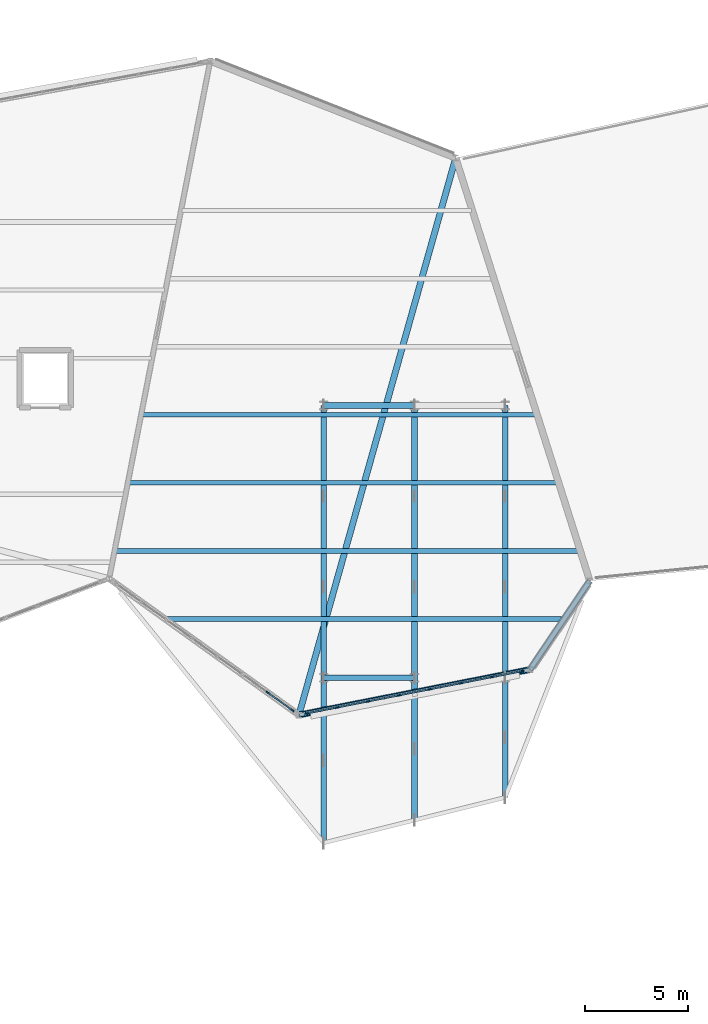
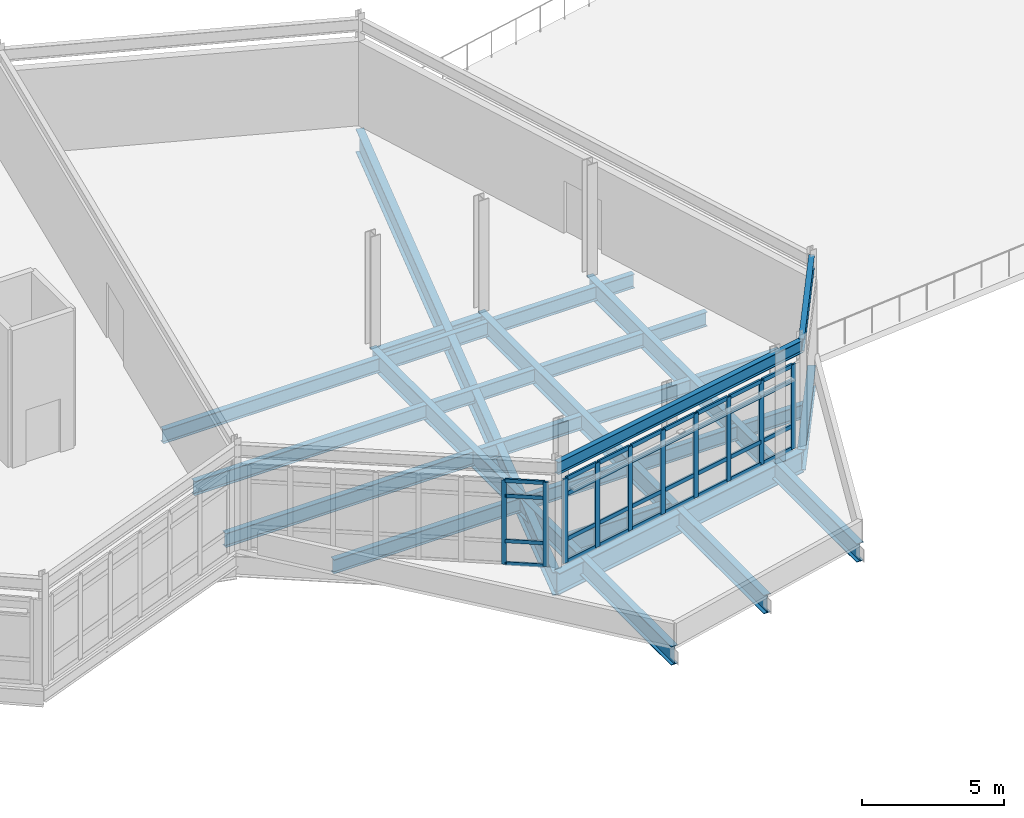
# One storey, part 40 of 76: 45 members, 11 beams, 2 elements without a shape of their own.
"""IFC4 building model written with IfcOpenShell, lengths in metres."""

from ifc_helpers import new_model, si_unit, direction, frame, origin, origin_2d, place, context, subcontext, project, spatial, rectangle, i_section, extrude, material, material_profile, profile_set, type_object, element, aggregate, save


model = new_model("IFC4")

# Units and contexts
model_context = context("Model", 3, precision=1e-05, world=origin(), true_north=direction((0.0, 1.0)))
body_context = subcontext(model_context, "Body", "Model", "MODEL_VIEW")
ifc_project = project(units=[si_unit("LENGTHUNIT", "METRE"), si_unit("AREAUNIT", "SQUARE_METRE"), si_unit("VOLUMEUNIT", "CUBIC_METRE"), si_unit("PLANEANGLEUNIT", "RADIAN"), si_unit("MASSUNIT", "GRAM", prefix="KILO")], contexts=[model_context])

# Site, building, storey
site_placement = place(None, origin())
site = spatial("IfcSite", under=ifc_project, at=site_placement, CompositionType="ELEMENT")
building_placement = place(site_placement, origin())
building = spatial("IfcBuilding", under=site, at=building_placement, Name="Tameran Prism Museum", CompositionType="ELEMENT")
storey_placement = place(building_placement, frame((0.0, 0.0, 15.0)))
storey = spatial("IfcBuildingStorey", under=building, at=storey_placement, Name="L03", CompositionType="ELEMENT", Elevation=15.0)

# Beams
ifc_material_1 = material(Name="Steel Grade 300PLUS (300 MPa)", Category="steel")
ifc_material_profile_1 = material_profile(ifc_material_1, i_section(OverallWidth=0.208984375, OverallDepth=0.528076171875, WebThickness=0.009521484375, FlangeThickness=0.01318359375, FilletRadius=0.013916015625, at=origin_2d()))
ifc_profile_set_1 = profile_set([ifc_material_profile_1])
beam_type_1 = type_object("IfcBeamType", Name="BM-SP530B", PredefinedType="SPANDREL", material=ifc_profile_set_1)
beam_1_placement = place(storey_placement, frame((129.89990234375, 15.699951171875, 4.256103515625), z_axis=(0.981250265265, 0.192737948825, 0.0), x_axis=(-0.192737948825, 0.981250265265, 0.0)))
element("IfcBeam", 1, at=beam_1_placement, inside=storey, type_object=beam_type_1, Name="Roof Ring Beam RB-0990", PredefinedType="SPANDREL", context=body_context, shape_type="SweptSolid", body=[
    extrude(i_section(OverallWidth=0.208984375, OverallDepth=0.528076171875, WebThickness=0.009521484375, FlangeThickness=0.01318359375, FilletRadius=0.013916015625, at=origin_2d()), origin(), (0.0, 0.0, 1.0), 11.414306640625),
])
beam_2_placement = place(storey_placement, frame((141.10009765625, 17.89990234375, 4.256103515625), z_axis=(0.559124361662, 0.829083800467, 0.0), x_axis=(-0.829083800467, 0.559124361662, 0.0)))
element("IfcBeam", 2, at=beam_2_placement, inside=storey, type_object=beam_type_1, Name="Roof Ring Beam RB-0991", PredefinedType="SPANDREL", context=body_context, shape_type="SweptSolid", body=[
    extrude(i_section(OverallWidth=0.208984375, OverallDepth=0.528076171875, WebThickness=0.009521484375, FlangeThickness=0.01318359375, FilletRadius=0.013916015625, at=origin_2d()), origin(), (0.0, 0.0, 1.0), 5.1865234375),
])
ifc_material_2 = material(Name="Steel Grade 300PLUS (300 MPa)", Category="steel")
ifc_material_profile_2 = material_profile(ifc_material_2, i_section(OverallWidth=0.22802734375, OverallDepth=0.60693359375, WebThickness=0.01123046875, FlangeThickness=0.017333984375, FilletRadius=0.013916015625, at=origin_2d()))
ifc_profile_set_2 = profile_set([ifc_material_profile_2])
beam_type_2 = type_object("IfcBeamType", Name="BM-UB610B", PredefinedType="BEAM", material=ifc_profile_set_2)
beam_3_placement = place(storey_placement, frame((123.487060546875, 20.35009765625, -0.5234375), z_axis=(1.0, 0.0, 0.0), x_axis=(0.0, 1.0, 0.0)))
element("IfcBeam", 3, at=beam_3_placement, inside=storey, type_object=beam_type_2, Name="Floor Beam BM-1113", PredefinedType="BEAM", context=body_context, shape_type="SweptSolid", body=[
    extrude(i_section(OverallWidth=0.22802734375, OverallDepth=0.60693359375, WebThickness=0.01123046875, FlangeThickness=0.017333984375, FilletRadius=0.013916015625, at=origin_2d()), origin(), (0.0, 0.0, 1.0), 19.217041015625),
])
beam_4_placement = place(storey_placement, frame((121.00390625, 23.64990234375, -0.5234375), z_axis=(1.0, 0.0, 0.0), x_axis=(0.0, 1.0, 0.0)))
element("IfcBeam", 4, at=beam_4_placement, inside=storey, type_object=beam_type_2, Name="Floor Beam BM-1114", PredefinedType="BEAM", context=body_context, shape_type="SweptSolid", body=[
    extrude(i_section(OverallWidth=0.22802734375, OverallDepth=0.60693359375, WebThickness=0.01123046875, FlangeThickness=0.017333984375, FilletRadius=0.013916015625, at=origin_2d()), origin(), (0.0, 0.0, 1.0), 22.494140625),
])
beam_5_placement = place(storey_placement, frame((121.64892578125, 26.949951171875, -0.5234375), z_axis=(1.0, 0.0, 0.0), x_axis=(0.0, 1.0, 0.0)))
element("IfcBeam", 5, at=beam_5_placement, inside=storey, type_object=beam_type_2, Name="Floor Beam BM-1115", PredefinedType="BEAM", context=body_context, shape_type="SweptSolid", body=[
    extrude(i_section(OverallWidth=0.22802734375, OverallDepth=0.60693359375, WebThickness=0.01123046875, FlangeThickness=0.017333984375, FilletRadius=0.013916015625, at=origin_2d()), origin(), (0.0, 0.0, 1.0), 20.802978515625),
])
beam_6_placement = place(storey_placement, frame((122.29296875, 30.25, -0.5234375), z_axis=(1.0, 0.0, 0.0), x_axis=(0.0, 1.0, 0.0)))
element("IfcBeam", 6, at=beam_6_placement, inside=storey, type_object=beam_type_2, Name="Floor Beam BM-1116", PredefinedType="BEAM", context=body_context, shape_type="SweptSolid", body=[
    extrude(i_section(OverallWidth=0.22802734375, OverallDepth=0.60693359375, WebThickness=0.01123046875, FlangeThickness=0.017333984375, FilletRadius=0.013916015625, at=origin_2d()), origin(), (0.0, 0.0, 1.0), 19.113037109375),
])
ifc_material_3 = material(Name="Steel Grade 350 (350 MPa)", Category="steel")
ifc_material_profile_3 = material_profile(ifc_material_3, i_section(OverallWidth=0.300048828125, OverallDepth=1.0, WebThickness=0.01611328125, FlangeThickness=0.031982421875, at=origin_2d()))
ifc_profile_set_3 = profile_set([ifc_material_profile_3])
beam_type_3 = type_object("IfcBeamType", Name="BM-WB1000", PredefinedType="BEAM", material=ifc_profile_set_3)
beam_7_placement = place(storey_placement, frame((137.5, 42.699951171875, -0.719970703125), z_axis=(-0.270955285512, -0.962591934962, 0.0), x_axis=(0.962591934962, -0.270955285512, 0.0)))
element("IfcBeam", 7, at=beam_7_placement, inside=storey, type_object=beam_type_3, Name="Primary Vertex Girder PG-0993", PredefinedType="BEAM", context=body_context, shape_type="SweptSolid", body=[
    extrude(i_section(OverallWidth=0.300048828125, OverallDepth=1.0, WebThickness=0.01611328125, FlangeThickness=0.031982421875, at=origin_2d()), origin(), (0.0, 0.0, 1.0), 28.04931640625),
])
ifc_material_4 = material(Name="Steel Grade 350 (350 MPa)", Category="steel")
ifc_material_profile_4 = material_profile(ifc_material_4, i_section(OverallWidth=0.27490234375, OverallDepth=0.800048828125, WebThickness=0.011962890625, FlangeThickness=0.02490234375, at=origin_2d()))
ifc_profile_set_4 = profile_set([ifc_material_profile_4])
beam_type_4 = type_object("IfcBeamType", Name="BM-WB800", PredefinedType="BEAM", material=ifc_profile_set_4)
for number, where, z_axis, x_axis, name in (
    (8, (131.10009765625, 17.5, -0.6201171875), (1.0, 0.0, 0.0), (0.0, 1.0, 0.0), "Frame Tie Girder FG-1370"),
    (9, (131.10009765625, 30.699951171875, -0.6201171875), (1.0, 0.0, 0.0), (0.0, 1.0, 0.0), "Frame Tie Girder FG-1374"),
):
    element("IfcBeam", number, at=place(storey_placement, frame(where, z_axis=z_axis, x_axis=x_axis)), inside=storey, type_object=beam_type_4, Name=name, PredefinedType="BEAM", context=body_context, shape_type="SweptSolid", body=[
        extrude(i_section(OverallWidth=0.27490234375, OverallDepth=0.800048828125, WebThickness=0.011962890625, FlangeThickness=0.02490234375, at=origin_2d()), origin(), (0.0, 0.0, 1.0), 4.39990234375),
    ])
ifc_material_5 = material(Name="Steel Grade 350 (350 MPa)", Category="steel")
ifc_material_profile_5 = material_profile(ifc_material_5, i_section(OverallWidth=0.300048828125, OverallDepth=0.89990234375, WebThickness=0.011962890625, FlangeThickness=0.030029296875, at=origin_2d()))
ifc_profile_set_5 = profile_set([ifc_material_profile_5])
beam_type_5 = type_object("IfcBeamType", Name="BM-WB900", PredefinedType="BEAM", material=ifc_profile_set_5)
beam_8_placement = place(storey_placement, frame((129.89990234375, 15.699951171875, -0.669921875), z_axis=(0.981250265265, 0.192737948825, 0.0), x_axis=(-0.192737948825, 0.981250265265, 0.0)))
element("IfcBeam", 10, at=beam_8_placement, inside=storey, type_object=beam_type_5, Name="Perimeter Spandrel SP-0985", PredefinedType="BEAM", context=body_context, shape_type="SweptSolid", body=[
    extrude(i_section(OverallWidth=0.300048828125, OverallDepth=0.89990234375, WebThickness=0.011962890625, FlangeThickness=0.030029296875, at=origin_2d()), origin(), (0.0, 0.0, 1.0), 11.414306640625),
])
beam_9_placement = place(storey_placement, frame((141.10009765625, 17.89990234375, -0.669921875), z_axis=(0.559124361662, 0.829083800467, 0.0), x_axis=(-0.829083800467, 0.559124361662, 0.0)))
element("IfcBeam", 11, at=beam_9_placement, inside=storey, type_object=beam_type_5, Name="Perimeter Spandrel SP-0986", PredefinedType="BEAM", context=body_context, shape_type="SweptSolid", body=[
    extrude(i_section(OverallWidth=0.300048828125, OverallDepth=0.89990234375, WebThickness=0.011962890625, FlangeThickness=0.030029296875, at=origin_2d()), origin(), (0.0, 0.0, 1.0), 5.1865234375),
])

# Curtain wall, members
ifc_material_6 = material(Name="Anodised Aluminium 6063-T6 and Cyclone Solar Glass", Category="aluminium")
curtain_wall_type_1 = type_object("IfcCurtainWallType", Name="CW-FAC-1056x362", PredefinedType="USERDEFINED", material=ifc_material_6)
curtain_wall_1_placement = place(storey_placement, origin())
curtain_wall_1 = element("IfcCurtainWall", 12, at=curtain_wall_1_placement, inside=storey, type_object=curtain_wall_type_1, Name="Unitised Curtain Wall CW-148", ObjectType="UNITISED CURTAIN WALL", PredefinedType="USERDEFINED")
ifc_material_7 = material(Name="Anodised Aluminium Alloy 6063-T6", Category="aluminium")
ifc_material_profile_6 = material_profile(ifc_material_7, rectangle(XDim=0.070068359375, YDim=0.179931640625, at=origin_2d()))
ifc_profile_set_6 = profile_set([ifc_material_profile_6])
member_type_1 = type_object("IfcMemberType", Name="CW-MUL-B", PredefinedType="MULLION", material=ifc_profile_set_6)
member_1_placement = place(storey_placement, frame((129.587646484375, 15.92431640625, 0.0), z_axis=(0.0, 0.0, 1.0), x_axis=(-0.582884776259, -0.812554821293, 0.0)))
member_1 = element("IfcMember", 13, at=member_1_placement, type_object=member_type_1, Name="CW-148 mullion 1", PredefinedType="MULLION", context=body_context, shape_type="SweptSolid", body=[
    extrude(rectangle(XDim=0.070068359375, YDim=0.179931640625, at=origin_2d()), origin(), (0.0, 0.0, 1.0), 3.6201171875),
])
member_2_placement = place(storey_placement, frame((128.389892578125, 16.78369140625, 0.0), z_axis=(0.0, 0.0, 1.0), x_axis=(-0.582884776259, -0.812554821293, 0.0)))
member_2 = element("IfcMember", 14, at=member_2_placement, type_object=member_type_1, Name="CW-148 mullion 2", PredefinedType="MULLION", context=body_context, shape_type="SweptSolid", body=[
    extrude(rectangle(XDim=0.070068359375, YDim=0.179931640625, at=origin_2d()), origin(), (0.0, 0.0, 1.0), 3.6201171875),
])

ifc_material_8 = material(Name="Anodised Aluminium 6063-T6 and Cyclone Solar Glass", Category="aluminium")
curtain_wall_type_2 = type_object("IfcCurtainWallType", Name="CW-FAC-1071x362", PredefinedType="USERDEFINED", material=ifc_material_8)
curtain_wall_2_placement = place(storey_placement, origin())
curtain_wall_2 = element("IfcCurtainWall", 15, at=curtain_wall_2_placement, inside=storey, type_object=curtain_wall_type_2, Name="Unitised Curtain Wall CW-149", ObjectType="UNITISED CURTAIN WALL", PredefinedType="USERDEFINED")
ifc_material_9 = material(Name="Anodised Aluminium Alloy 6063-T6", Category="aluminium")
ifc_material_profile_7 = material_profile(ifc_material_9, rectangle(XDim=0.074951171875, YDim=0.199951171875, at=origin_2d()))
ifc_profile_set_7 = profile_set([ifc_material_profile_7])
member_type_2 = type_object("IfcMemberType", Name="CW-MUL-C", PredefinedType="MULLION", material=ifc_profile_set_7)
member_3_placement = place(storey_placement, frame((140.72021484375, 17.82568359375, 0.0), z_axis=(0.0, 0.0, 1.0), x_axis=(0.192812698141, -0.981235579989, 0.0)))
member_3 = element("IfcMember", 16, at=member_3_placement, type_object=member_type_2, Name="CW-149 mullion 1", PredefinedType="MULLION", context=body_context, shape_type="SweptSolid", body=[
    extrude(rectangle(XDim=0.074951171875, YDim=0.199951171875, at=origin_2d()), origin(), (0.0, 0.0, 1.0), 3.6201171875),
])
member_4_placement = place(storey_placement, frame((139.2548828125, 17.537841796875, 0.0), z_axis=(0.0, 0.0, 1.0), x_axis=(0.192812698141, -0.981235579989, 0.0)))
member_4 = element("IfcMember", 17, at=member_4_placement, type_object=member_type_2, Name="CW-149 mullion 2", PredefinedType="MULLION", context=body_context, shape_type="SweptSolid", body=[
    extrude(rectangle(XDim=0.074951171875, YDim=0.199951171875, at=origin_2d()), origin(), (0.0, 0.0, 1.0), 3.6201171875),
])
member_5_placement = place(storey_placement, frame((137.7529296875, 17.24267578125, 0.0), z_axis=(0.0, 0.0, 1.0), x_axis=(0.192812698141, -0.981235579989, 0.0)))
member_5 = element("IfcMember", 18, at=member_5_placement, type_object=member_type_2, Name="CW-149 mullion 3", PredefinedType="MULLION", context=body_context, shape_type="SweptSolid", body=[
    extrude(rectangle(XDim=0.074951171875, YDim=0.199951171875, at=origin_2d()), origin(), (0.0, 0.0, 1.0), 3.6201171875),
])
member_6_placement = place(storey_placement, frame((136.2509765625, 16.947509765625, 0.0), z_axis=(0.0, 0.0, 1.0), x_axis=(0.192812698141, -0.981235579989, 0.0)))
member_6 = element("IfcMember", 19, at=member_6_placement, type_object=member_type_2, Name="CW-149 mullion 4", PredefinedType="MULLION", context=body_context, shape_type="SweptSolid", body=[
    extrude(rectangle(XDim=0.074951171875, YDim=0.199951171875, at=origin_2d()), origin(), (0.0, 0.0, 1.0), 3.6201171875),
])
member_7_placement = place(storey_placement, frame((134.7490234375, 16.65234375, 0.0), z_axis=(0.0, 0.0, 1.0), x_axis=(0.192812698141, -0.981235579989, 0.0)))
member_7 = element("IfcMember", 20, at=member_7_placement, type_object=member_type_2, Name="CW-149 mullion 5", PredefinedType="MULLION", context=body_context, shape_type="SweptSolid", body=[
    extrude(rectangle(XDim=0.074951171875, YDim=0.199951171875, at=origin_2d()), origin(), (0.0, 0.0, 1.0), 3.6201171875),
])
member_8_placement = place(storey_placement, frame((133.2470703125, 16.357177734375, 0.0), z_axis=(0.0, 0.0, 1.0), x_axis=(0.192812698141, -0.981235579989, 0.0)))
member_8 = element("IfcMember", 21, at=member_8_placement, type_object=member_type_2, Name="CW-149 mullion 6", PredefinedType="MULLION", context=body_context, shape_type="SweptSolid", body=[
    extrude(rectangle(XDim=0.074951171875, YDim=0.199951171875, at=origin_2d()), origin(), (0.0, 0.0, 1.0), 3.6201171875),
])
member_9_placement = place(storey_placement, frame((131.7451171875, 16.062255859375, 0.0), z_axis=(0.0, 0.0, 1.0), x_axis=(0.192812698141, -0.981235579989, 0.0)))
member_9 = element("IfcMember", 22, at=member_9_placement, type_object=member_type_2, Name="CW-149 mullion 7", PredefinedType="MULLION", context=body_context, shape_type="SweptSolid", body=[
    extrude(rectangle(XDim=0.074951171875, YDim=0.199951171875, at=origin_2d()), origin(), (0.0, 0.0, 1.0), 3.6201171875),
])
member_10_placement = place(storey_placement, frame((130.27978515625, 15.774169921875, 0.0), z_axis=(0.0, 0.0, 1.0), x_axis=(0.192812698141, -0.981235579989, 0.0)))
member_10 = element("IfcMember", 23, at=member_10_placement, type_object=member_type_2, Name="CW-149 mullion 8", PredefinedType="MULLION", context=body_context, shape_type="SweptSolid", body=[
    extrude(rectangle(XDim=0.074951171875, YDim=0.199951171875, at=origin_2d()), origin(), (0.0, 0.0, 1.0), 3.6201171875),
])

# Member
ifc_material_10 = material(Name="Anodised Aluminium Alloy 6063-T6", Category="aluminium")
ifc_material_profile_8 = material_profile(ifc_material_10, rectangle(XDim=0.070068359375, YDim=0.155029296875, at=origin_2d()))
ifc_profile_set_8 = profile_set([ifc_material_profile_8])
member_type_3 = type_object("IfcMemberType", Name="CW-TRN-B", PredefinedType="USERDEFINED", material=ifc_profile_set_8)
member_11_placement = place(storey_placement, frame((129.55908203125, 15.94482421875, 0.034912109375), z_axis=(-0.812568686332, 0.582865447589, 0.0), x_axis=(-0.582865447589, -0.812568686332, 0.0)))
member_11 = element("IfcMember", 24, at=member_11_placement, type_object=member_type_3, Name="CW-148 transom 1.1", ObjectType="TRANSOM", PredefinedType="USERDEFINED", context=body_context, shape_type="SweptSolid", body=[
    extrude(rectangle(XDim=0.070068359375, YDim=0.155029296875, at=origin_2d()), origin(), (0.0, 0.0, 1.0), 1.404052734375),
])

member_12_placement = place(storey_placement, frame((129.55908203125, 15.94482421875, 1.0), z_axis=(-0.812568686332, 0.582865447589, 0.0), x_axis=(-0.582865447589, -0.812568686332, 0.0)))
member_12 = element("IfcMember", 25, at=member_12_placement, type_object=member_type_3, Name="CW-148 transom 1.2", ObjectType="TRANSOM", PredefinedType="USERDEFINED", context=body_context, shape_type="SweptSolid", body=[
    extrude(rectangle(XDim=0.070068359375, YDim=0.155029296875, at=origin_2d()), origin(), (0.0, 0.0, 1.0), 1.404052734375),
])

member_13_placement = place(storey_placement, frame((129.55908203125, 15.94482421875, 2.93994140625), z_axis=(-0.812568686332, 0.582865447589, 0.0), x_axis=(-0.582865447589, -0.812568686332, 0.0)))
member_13 = element("IfcMember", 26, at=member_13_placement, type_object=member_type_3, Name="CW-148 transom 1.3", ObjectType="TRANSOM", PredefinedType="USERDEFINED", context=body_context, shape_type="SweptSolid", body=[
    extrude(rectangle(XDim=0.070068359375, YDim=0.155029296875, at=origin_2d()), origin(), (0.0, 0.0, 1.0), 1.404052734375),
])

member_14_placement = place(storey_placement, frame((129.55908203125, 15.94482421875, 3.5849609375), z_axis=(-0.812568686332, 0.582865447589, 0.0), x_axis=(-0.582865447589, -0.812568686332, 0.0)))
member_14 = element("IfcMember", 27, at=member_14_placement, type_object=member_type_3, Name="CW-148 transom 1.4", ObjectType="TRANSOM", PredefinedType="USERDEFINED", context=body_context, shape_type="SweptSolid", body=[
    extrude(rectangle(XDim=0.070068359375, YDim=0.155029296875, at=origin_2d()), origin(), (0.0, 0.0, 1.0), 1.404052734375),
])

aggregate(curtain_wall_1, [member_1, member_2, member_11, member_12, member_13, member_14])

ifc_material_11 = material(Name="Anodised Aluminium Alloy 6063-T6", Category="aluminium")
ifc_material_profile_9 = material_profile(ifc_material_11, rectangle(XDim=0.074951171875, YDim=0.175048828125, at=origin_2d()))
ifc_profile_set_9 = profile_set([ifc_material_profile_9])
member_type_4 = type_object("IfcMemberType", Name="CW-TRN-C", PredefinedType="USERDEFINED", material=ifc_profile_set_9)
member_15_placement = place(storey_placement, frame((140.683349609375, 17.818603515625, 0.03759765625), z_axis=(-0.981237190761, -0.192804500641, 0.0), x_axis=(0.192804500641, -0.981237190761, 0.0)))
member_15 = element("IfcMember", 28, at=member_15_placement, type_object=member_type_4, Name="CW-149 transom 1.1", ObjectType="TRANSOM", PredefinedType="USERDEFINED", context=body_context, shape_type="SweptSolid", body=[
    extrude(rectangle(XDim=0.074951171875, YDim=0.175048828125, at=origin_2d()), origin(), (0.0, 0.0, 1.0), 1.418212890625),
])

member_16_placement = place(storey_placement, frame((140.683349609375, 17.818603515625, 1.0), z_axis=(-0.981237190761, -0.192804500641, 0.0), x_axis=(0.192804500641, -0.981237190761, 0.0)))
member_16 = element("IfcMember", 29, at=member_16_placement, type_object=member_type_4, Name="CW-149 transom 1.2", ObjectType="TRANSOM", PredefinedType="USERDEFINED", context=body_context, shape_type="SweptSolid", body=[
    extrude(rectangle(XDim=0.074951171875, YDim=0.175048828125, at=origin_2d()), origin(), (0.0, 0.0, 1.0), 1.418212890625),
])

member_17_placement = place(storey_placement, frame((140.683349609375, 17.818603515625, 2.93994140625), z_axis=(-0.981237190761, -0.192804500641, 0.0), x_axis=(0.192804500641, -0.981237190761, 0.0)))
member_17 = element("IfcMember", 30, at=member_17_placement, type_object=member_type_4, Name="CW-149 transom 1.3", ObjectType="TRANSOM", PredefinedType="USERDEFINED", context=body_context, shape_type="SweptSolid", body=[
    extrude(rectangle(XDim=0.074951171875, YDim=0.175048828125, at=origin_2d()), origin(), (0.0, 0.0, 1.0), 1.418212890625),
])

member_18_placement = place(storey_placement, frame((140.683349609375, 17.818603515625, 3.58251953125), z_axis=(-0.981237190761, -0.192804500641, 0.0), x_axis=(0.192804500641, -0.981237190761, 0.0)))
member_18 = element("IfcMember", 31, at=member_18_placement, type_object=member_type_4, Name="CW-149 transom 1.4", ObjectType="TRANSOM", PredefinedType="USERDEFINED", context=body_context, shape_type="SweptSolid", body=[
    extrude(rectangle(XDim=0.074951171875, YDim=0.175048828125, at=origin_2d()), origin(), (0.0, 0.0, 1.0), 1.418212890625),
])

member_19_placement = place(storey_placement, frame((139.21826171875, 17.530517578125, 0.03759765625), z_axis=(-0.981258448207, -0.192696283881, 0.0), x_axis=(0.192696283881, -0.981258448207, 0.0)))
member_19 = element("IfcMember", 32, at=member_19_placement, type_object=member_type_4, Name="CW-149 transom 2.1", ObjectType="TRANSOM", PredefinedType="USERDEFINED", context=body_context, shape_type="SweptSolid", body=[
    extrude(rectangle(XDim=0.074951171875, YDim=0.175048828125, at=origin_2d()), origin(), (0.0, 0.0, 1.0), 1.455810546875),
])

member_20_placement = place(storey_placement, frame((139.21826171875, 17.530517578125, 1.0), z_axis=(-0.981258448207, -0.192696283881, 0.0), x_axis=(0.192696283881, -0.981258448207, 0.0)))
member_20 = element("IfcMember", 33, at=member_20_placement, type_object=member_type_4, Name="CW-149 transom 2.2", ObjectType="TRANSOM", PredefinedType="USERDEFINED", context=body_context, shape_type="SweptSolid", body=[
    extrude(rectangle(XDim=0.074951171875, YDim=0.175048828125, at=origin_2d()), origin(), (0.0, 0.0, 1.0), 1.455810546875),
])

member_21_placement = place(storey_placement, frame((139.21826171875, 17.530517578125, 2.93994140625), z_axis=(-0.981258448207, -0.192696283881, 0.0), x_axis=(0.192696283881, -0.981258448207, 0.0)))
member_21 = element("IfcMember", 34, at=member_21_placement, type_object=member_type_4, Name="CW-149 transom 2.3", ObjectType="TRANSOM", PredefinedType="USERDEFINED", context=body_context, shape_type="SweptSolid", body=[
    extrude(rectangle(XDim=0.074951171875, YDim=0.175048828125, at=origin_2d()), origin(), (0.0, 0.0, 1.0), 1.455810546875),
])

member_22_placement = place(storey_placement, frame((139.21826171875, 17.530517578125, 3.58251953125), z_axis=(-0.981258448207, -0.192696283881, 0.0), x_axis=(0.192696283881, -0.981258448207, 0.0)))
member_22 = element("IfcMember", 35, at=member_22_placement, type_object=member_type_4, Name="CW-149 transom 2.4", ObjectType="TRANSOM", PredefinedType="USERDEFINED", context=body_context, shape_type="SweptSolid", body=[
    extrude(rectangle(XDim=0.074951171875, YDim=0.175048828125, at=origin_2d()), origin(), (0.0, 0.0, 1.0), 1.455810546875),
])

member_23_placement = place(storey_placement, frame((137.71630859375, 17.235595703125, 0.03759765625), z_axis=(-0.981226724938, -0.192857756568, 0.0), x_axis=(0.192857756568, -0.981226724938, 0.0)))
member_23 = element("IfcMember", 36, at=member_23_placement, type_object=member_type_4, Name="CW-149 transom 3.1", ObjectType="TRANSOM", PredefinedType="USERDEFINED", context=body_context, shape_type="SweptSolid", body=[
    extrude(rectangle(XDim=0.074951171875, YDim=0.175048828125, at=origin_2d()), origin(), (0.0, 0.0, 1.0), 1.455810546875),
])

member_24_placement = place(storey_placement, frame((137.71630859375, 17.235595703125, 1.0), z_axis=(-0.981226724938, -0.192857756568, 0.0), x_axis=(0.192857756568, -0.981226724938, 0.0)))
member_24 = element("IfcMember", 37, at=member_24_placement, type_object=member_type_4, Name="CW-149 transom 3.2", ObjectType="TRANSOM", PredefinedType="USERDEFINED", context=body_context, shape_type="SweptSolid", body=[
    extrude(rectangle(XDim=0.074951171875, YDim=0.175048828125, at=origin_2d()), origin(), (0.0, 0.0, 1.0), 1.455810546875),
])

member_25_placement = place(storey_placement, frame((137.71630859375, 17.235595703125, 2.93994140625), z_axis=(-0.981226724938, -0.192857756568, 0.0), x_axis=(0.192857756568, -0.981226724938, 0.0)))
member_25 = element("IfcMember", 38, at=member_25_placement, type_object=member_type_4, Name="CW-149 transom 3.3", ObjectType="TRANSOM", PredefinedType="USERDEFINED", context=body_context, shape_type="SweptSolid", body=[
    extrude(rectangle(XDim=0.074951171875, YDim=0.175048828125, at=origin_2d()), origin(), (0.0, 0.0, 1.0), 1.455810546875),
])

member_26_placement = place(storey_placement, frame((137.71630859375, 17.235595703125, 3.58251953125), z_axis=(-0.981226724938, -0.192857756568, 0.0), x_axis=(0.192857756568, -0.981226724938, 0.0)))
member_26 = element("IfcMember", 39, at=member_26_placement, type_object=member_type_4, Name="CW-149 transom 3.4", ObjectType="TRANSOM", PredefinedType="USERDEFINED", context=body_context, shape_type="SweptSolid", body=[
    extrude(rectangle(XDim=0.074951171875, YDim=0.175048828125, at=origin_2d()), origin(), (0.0, 0.0, 1.0), 1.455810546875),
])

member_27_placement = place(storey_placement, frame((136.214111328125, 16.9404296875, 0.03759765625), z_axis=(-0.981220485855, -0.192889497219, 0.0), x_axis=(0.192889497219, -0.981220485855, 0.0)))
member_27 = element("IfcMember", 40, at=member_27_placement, type_object=member_type_4, Name="CW-149 transom 4.1", ObjectType="TRANSOM", PredefinedType="USERDEFINED", context=body_context, shape_type="SweptSolid", body=[
    extrude(rectangle(XDim=0.074951171875, YDim=0.175048828125, at=origin_2d()), origin(), (0.0, 0.0, 1.0), 1.45556640625),
])

member_28_placement = place(storey_placement, frame((136.214111328125, 16.9404296875, 1.0), z_axis=(-0.981220485855, -0.192889497219, 0.0), x_axis=(0.192889497219, -0.981220485855, 0.0)))
member_28 = element("IfcMember", 41, at=member_28_placement, type_object=member_type_4, Name="CW-149 transom 4.2", ObjectType="TRANSOM", PredefinedType="USERDEFINED", context=body_context, shape_type="SweptSolid", body=[
    extrude(rectangle(XDim=0.074951171875, YDim=0.175048828125, at=origin_2d()), origin(), (0.0, 0.0, 1.0), 1.45556640625),
])

member_29_placement = place(storey_placement, frame((136.214111328125, 16.9404296875, 2.93994140625), z_axis=(-0.981220485855, -0.192889497219, 0.0), x_axis=(0.192889497219, -0.981220485855, 0.0)))
member_29 = element("IfcMember", 42, at=member_29_placement, type_object=member_type_4, Name="CW-149 transom 4.3", ObjectType="TRANSOM", PredefinedType="USERDEFINED", context=body_context, shape_type="SweptSolid", body=[
    extrude(rectangle(XDim=0.074951171875, YDim=0.175048828125, at=origin_2d()), origin(), (0.0, 0.0, 1.0), 1.45556640625),
])

member_30_placement = place(storey_placement, frame((136.214111328125, 16.9404296875, 3.58251953125), z_axis=(-0.981220485855, -0.192889497219, 0.0), x_axis=(0.192889497219, -0.981220485855, 0.0)))
member_30 = element("IfcMember", 43, at=member_30_placement, type_object=member_type_4, Name="CW-149 transom 4.4", ObjectType="TRANSOM", PredefinedType="USERDEFINED", context=body_context, shape_type="SweptSolid", body=[
    extrude(rectangle(XDim=0.074951171875, YDim=0.175048828125, at=origin_2d()), origin(), (0.0, 0.0, 1.0), 1.45556640625),
])

member_31_placement = place(storey_placement, frame((134.712158203125, 16.645263671875, 0.03759765625), z_axis=(-0.981226724938, -0.192857756568, 0.0), x_axis=(0.192857756568, -0.981226724938, 0.0)))
member_31 = element("IfcMember", 44, at=member_31_placement, type_object=member_type_4, Name="CW-149 transom 5.1", ObjectType="TRANSOM", PredefinedType="USERDEFINED", context=body_context, shape_type="SweptSolid", body=[
    extrude(rectangle(XDim=0.074951171875, YDim=0.175048828125, at=origin_2d()), origin(), (0.0, 0.0, 1.0), 1.455810546875),
])

member_32_placement = place(storey_placement, frame((134.712158203125, 16.645263671875, 1.0), z_axis=(-0.981226724938, -0.192857756568, 0.0), x_axis=(0.192857756568, -0.981226724938, 0.0)))
member_32 = element("IfcMember", 45, at=member_32_placement, type_object=member_type_4, Name="CW-149 transom 5.2", ObjectType="TRANSOM", PredefinedType="USERDEFINED", context=body_context, shape_type="SweptSolid", body=[
    extrude(rectangle(XDim=0.074951171875, YDim=0.175048828125, at=origin_2d()), origin(), (0.0, 0.0, 1.0), 1.455810546875),
])

member_33_placement = place(storey_placement, frame((134.712158203125, 16.645263671875, 2.93994140625), z_axis=(-0.981226724938, -0.192857756568, 0.0), x_axis=(0.192857756568, -0.981226724938, 0.0)))
member_33 = element("IfcMember", 46, at=member_33_placement, type_object=member_type_4, Name="CW-149 transom 5.3", ObjectType="TRANSOM", PredefinedType="USERDEFINED", context=body_context, shape_type="SweptSolid", body=[
    extrude(rectangle(XDim=0.074951171875, YDim=0.175048828125, at=origin_2d()), origin(), (0.0, 0.0, 1.0), 1.455810546875),
])

member_34_placement = place(storey_placement, frame((134.712158203125, 16.645263671875, 3.58251953125), z_axis=(-0.981226724938, -0.192857756568, 0.0), x_axis=(0.192857756568, -0.981226724938, 0.0)))
member_34 = element("IfcMember", 47, at=member_34_placement, type_object=member_type_4, Name="CW-149 transom 5.4", ObjectType="TRANSOM", PredefinedType="USERDEFINED", context=body_context, shape_type="SweptSolid", body=[
    extrude(rectangle(XDim=0.074951171875, YDim=0.175048828125, at=origin_2d()), origin(), (0.0, 0.0, 1.0), 1.455810546875),
])

member_35_placement = place(storey_placement, frame((133.210205078125, 16.35009765625, 0.03759765625), z_axis=(-0.981226724938, -0.192857756568, 0.0), x_axis=(0.192857756568, -0.981226724938, 0.0)))
member_35 = element("IfcMember", 48, at=member_35_placement, type_object=member_type_4, Name="CW-149 transom 6.1", ObjectType="TRANSOM", PredefinedType="USERDEFINED", context=body_context, shape_type="SweptSolid", body=[
    extrude(rectangle(XDim=0.074951171875, YDim=0.175048828125, at=origin_2d()), origin(), (0.0, 0.0, 1.0), 1.455810546875),
])

member_36_placement = place(storey_placement, frame((133.210205078125, 16.35009765625, 1.0), z_axis=(-0.981226724938, -0.192857756568, 0.0), x_axis=(0.192857756568, -0.981226724938, 0.0)))
member_36 = element("IfcMember", 49, at=member_36_placement, type_object=member_type_4, Name="CW-149 transom 6.2", ObjectType="TRANSOM", PredefinedType="USERDEFINED", context=body_context, shape_type="SweptSolid", body=[
    extrude(rectangle(XDim=0.074951171875, YDim=0.175048828125, at=origin_2d()), origin(), (0.0, 0.0, 1.0), 1.455810546875),
])

member_37_placement = place(storey_placement, frame((133.210205078125, 16.35009765625, 2.93994140625), z_axis=(-0.981226724938, -0.192857756568, 0.0), x_axis=(0.192857756568, -0.981226724938, 0.0)))
member_37 = element("IfcMember", 50, at=member_37_placement, type_object=member_type_4, Name="CW-149 transom 6.3", ObjectType="TRANSOM", PredefinedType="USERDEFINED", context=body_context, shape_type="SweptSolid", body=[
    extrude(rectangle(XDim=0.074951171875, YDim=0.175048828125, at=origin_2d()), origin(), (0.0, 0.0, 1.0), 1.455810546875),
])

member_38_placement = place(storey_placement, frame((133.210205078125, 16.35009765625, 3.58251953125), z_axis=(-0.981226724938, -0.192857756568, 0.0), x_axis=(0.192857756568, -0.981226724938, 0.0)))
member_38 = element("IfcMember", 51, at=member_38_placement, type_object=member_type_4, Name="CW-149 transom 6.4", ObjectType="TRANSOM", PredefinedType="USERDEFINED", context=body_context, shape_type="SweptSolid", body=[
    extrude(rectangle(XDim=0.074951171875, YDim=0.175048828125, at=origin_2d()), origin(), (0.0, 0.0, 1.0), 1.455810546875),
])

member_39_placement = place(storey_placement, frame((131.708251953125, 16.054931640625, 0.03759765625), z_axis=(-0.981237190761, -0.192804500641, 0.0), x_axis=(0.192804500641, -0.981237190761, 0.0)))
member_39 = element("IfcMember", 52, at=member_39_placement, type_object=member_type_4, Name="CW-149 transom 7.1", ObjectType="TRANSOM", PredefinedType="USERDEFINED", context=body_context, shape_type="SweptSolid", body=[
    extrude(rectangle(XDim=0.074951171875, YDim=0.175048828125, at=origin_2d()), origin(), (0.0, 0.0, 1.0), 1.418212890625),
])

member_40_placement = place(storey_placement, frame((131.708251953125, 16.054931640625, 1.0), z_axis=(-0.981237190761, -0.192804500641, 0.0), x_axis=(0.192804500641, -0.981237190761, 0.0)))
member_40 = element("IfcMember", 53, at=member_40_placement, type_object=member_type_4, Name="CW-149 transom 7.2", ObjectType="TRANSOM", PredefinedType="USERDEFINED", context=body_context, shape_type="SweptSolid", body=[
    extrude(rectangle(XDim=0.074951171875, YDim=0.175048828125, at=origin_2d()), origin(), (0.0, 0.0, 1.0), 1.418212890625),
])

member_41_placement = place(storey_placement, frame((131.708251953125, 16.054931640625, 2.93994140625), z_axis=(-0.981237190761, -0.192804500641, 0.0), x_axis=(0.192804500641, -0.981237190761, 0.0)))
member_41 = element("IfcMember", 54, at=member_41_placement, type_object=member_type_4, Name="CW-149 transom 7.3", ObjectType="TRANSOM", PredefinedType="USERDEFINED", context=body_context, shape_type="SweptSolid", body=[
    extrude(rectangle(XDim=0.074951171875, YDim=0.175048828125, at=origin_2d()), origin(), (0.0, 0.0, 1.0), 1.418212890625),
])

member_42_placement = place(storey_placement, frame((131.708251953125, 16.054931640625, 3.58251953125), z_axis=(-0.981237190761, -0.192804500641, 0.0), x_axis=(0.192804500641, -0.981237190761, 0.0)))
member_42 = element("IfcMember", 55, at=member_42_placement, type_object=member_type_4, Name="CW-149 transom 7.4", ObjectType="TRANSOM", PredefinedType="USERDEFINED", context=body_context, shape_type="SweptSolid", body=[
    extrude(rectangle(XDim=0.074951171875, YDim=0.175048828125, at=origin_2d()), origin(), (0.0, 0.0, 1.0), 1.418212890625),
])

aggregate(curtain_wall_2, [member_3, member_4, member_5, member_6, member_7, member_8, member_9, member_10, member_15, member_16, member_17, member_18, member_19, member_20, member_21, member_22, member_23, member_24, member_25, member_26, member_27, member_28, member_29, member_30, member_31, member_32, member_33, member_34, member_35, member_36, member_37, member_38, member_39, member_40, member_41, member_42])

# Members
ifc_material_12 = material(Name="Steel Grade 350 (350 MPa)", Category="steel")
ifc_material_profile_10 = material_profile(ifc_material_12, i_section(OverallWidth=0.27490234375, OverallDepth=0.800048828125, WebThickness=0.011962890625, FlangeThickness=0.02490234375, at=origin_2d()))
ifc_profile_set_10 = profile_set([ifc_material_profile_10])
member_type_5 = type_object("IfcMemberType", Name="MM-CH-WB800", PredefinedType="CHORD", material=ifc_profile_set_10)
member_43_placement = place(storey_placement, frame((131.10009765625, 30.699951171875, -0.449951171875), z_axis=(0.0, -1.0, 0.0), x_axis=(1.0, 0.0, 0.0)))
element("IfcMember", 56, at=member_43_placement, inside=storey, type_object=member_type_5, Name="Truss Top Chord TTC-001", PredefinedType="CHORD", context=body_context, shape_type="SweptSolid", body=[
    extrude(i_section(OverallWidth=0.27490234375, OverallDepth=0.800048828125, WebThickness=0.011962890625, FlangeThickness=0.02490234375, at=origin_2d()), origin(), (0.0, 0.0, 1.0), 21.199951171875),
])
member_44_placement = place(storey_placement, frame((135.5, 30.699951171875, -0.449951171875), z_axis=(0.0, -1.0, 0.0), x_axis=(1.0, 0.0, 0.0)))
element("IfcMember", 57, at=member_44_placement, inside=storey, type_object=member_type_5, Name="Truss Top Chord TTC-013", PredefinedType="CHORD", context=body_context, shape_type="SweptSolid", body=[
    extrude(i_section(OverallWidth=0.27490234375, OverallDepth=0.800048828125, WebThickness=0.011962890625, FlangeThickness=0.02490234375, at=origin_2d()), origin(), (0.0, 0.0, 1.0), 20.099853515625),
])
member_45_placement = place(storey_placement, frame((139.89990234375, 30.699951171875, -0.449951171875), z_axis=(0.0, -1.0, 0.0), x_axis=(1.0, 0.0, 0.0)))
element("IfcMember", 58, at=member_45_placement, inside=storey, type_object=member_type_5, Name="Truss Top Chord TTC-025", PredefinedType="CHORD", context=body_context, shape_type="SweptSolid", body=[
    extrude(i_section(OverallWidth=0.27490234375, OverallDepth=0.800048828125, WebThickness=0.011962890625, FlangeThickness=0.02490234375, at=origin_2d()), origin(), (0.0, 0.0, 1.0), 19.0),
])

save(model, "model.ifc")
